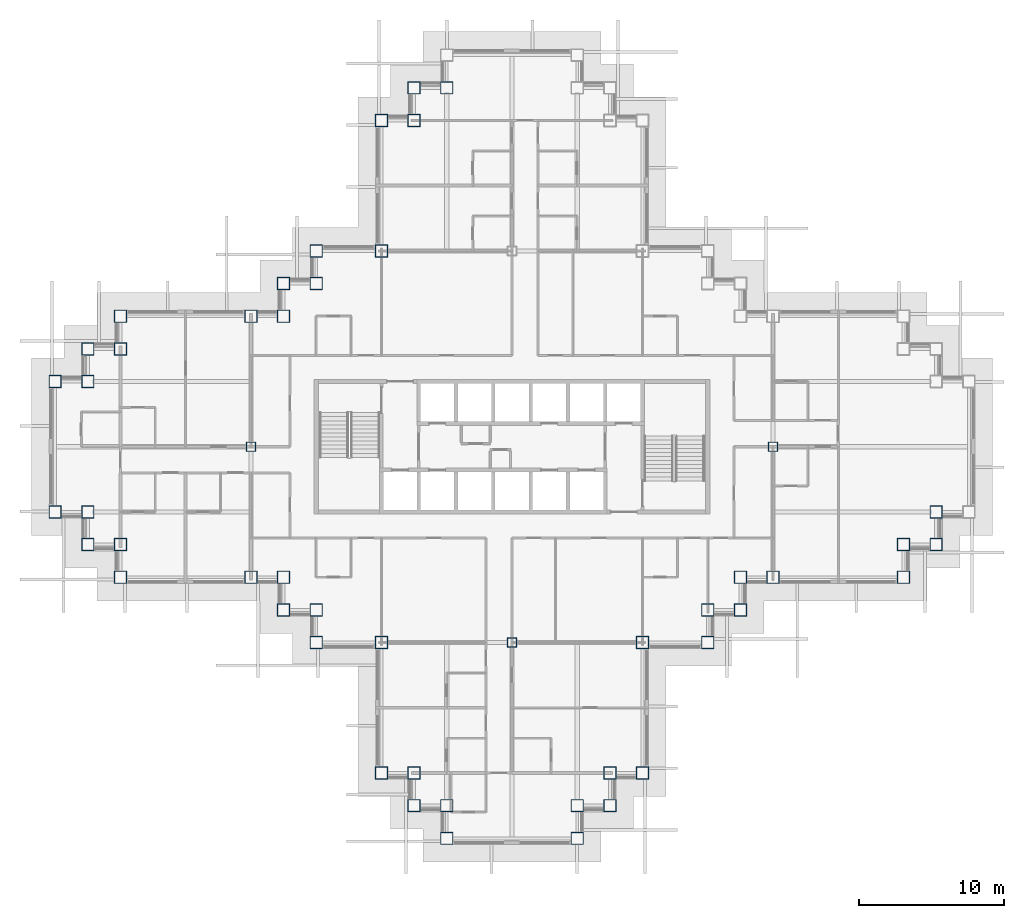
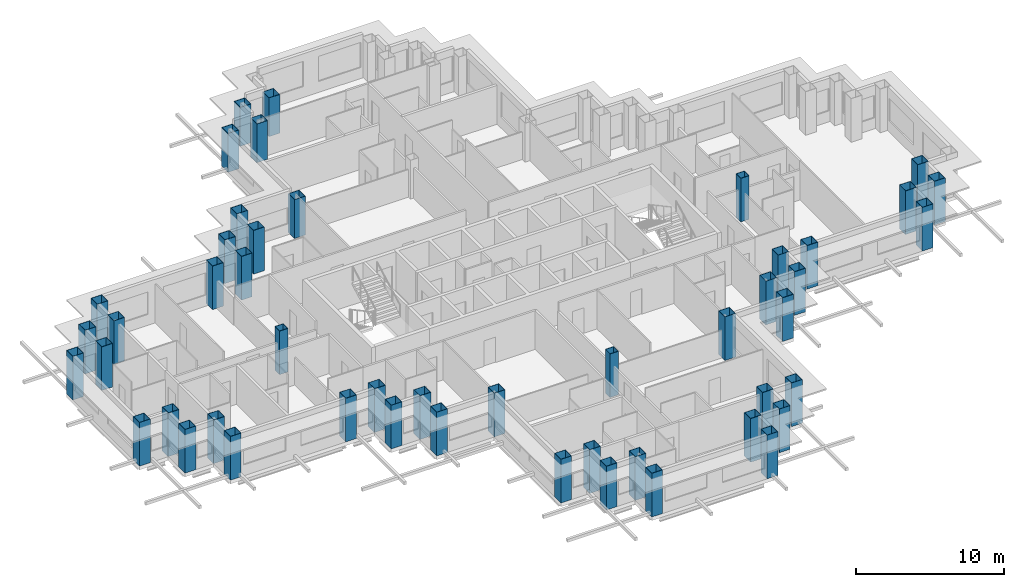
# One storey, part 1 of 17: 49 columns.
"""IFC4 building model written with IfcOpenShell, lengths in metres."""

from ifc_helpers import new_model, si_unit, direction, frame, origin, origin_2d, place, context, subcontext, project, spatial, hollow_rectangle, extrude, material, material_profile, profile_set, type_object, element, save


model = new_model("IFC4")

# Units and contexts
model_context = context("Model", 3, precision=1e-05, world=origin(), true_north=direction((0.0, 1.0)))
body_context = subcontext(model_context, "Body", "Model", "MODEL_VIEW")
ifc_project = project(units=[si_unit("LENGTHUNIT", "METRE"), si_unit("AREAUNIT", "SQUARE_METRE"), si_unit("VOLUMEUNIT", "CUBIC_METRE"), si_unit("PLANEANGLEUNIT", "RADIAN"), si_unit("MASSUNIT", "GRAM", prefix="KILO")], contexts=[model_context])

# Site, building, storey
site_placement = place(None, origin())
site = spatial("IfcSite", under=ifc_project, at=site_placement, CompositionType="ELEMENT")
building_placement = place(site_placement, origin())
building = spatial("IfcBuilding", under=site, at=building_placement, Name="Caravel Reach Hotel and Residences", CompositionType="ELEMENT")
storey_placement = place(building_placement, frame((0.0, 0.0, 136.800048828125)))
storey = spatial("IfcBuildingStorey", under=building, at=storey_placement, Name="L34", CompositionType="ELEMENT", Elevation=136.800048828125)

# Columns
ifc_material_1 = material(Name="Concrete-filled steel tube Q390B with Concrete C70 infill", Category="concrete")
ifc_material_profile_1 = material_profile(ifc_material_1, hollow_rectangle(XDim=0.64990234375, YDim=0.64990234375, WallThickness=0.02099609375, at=origin_2d()), Name="RHS 650x650x21")
ifc_profile_set_1 = profile_set([ifc_material_profile_1], Name="Concrete-filled steel tube Q390B with Concrete C70 infill")
column_type_1 = type_object("IfcColumnType", Name="CFT 650x650 Q390B C70", PredefinedType="COLUMN", material=ifc_profile_set_1)
for number, where, z_axis, x_axis, name in (
    (1, (31.5, 13.5, 0.0), (0.0, 0.0, 1.0), (1.0, 0.0, 0.0), "C17 column"),
    (2, (13.5, 27.0, 0.0), (0.0, 0.0, 1.0), (1.0, 0.0, 0.0), "C17 column"),
    (3, (49.5, 27.0, 0.0), (0.0, 0.0, 1.0), (1.0, 0.0, 0.0), "C17 column"),
):
    element("IfcColumn", number, at=place(storey_placement, frame(where, z_axis=z_axis, x_axis=x_axis)), inside=storey, type_object=column_type_1, Name=name, PredefinedType="COLUMN", context=body_context, shape_type="SweptSolid", body=[
        extrude(hollow_rectangle(XDim=0.64990234375, YDim=0.64990234375, WallThickness=0.02099609375, at=origin_2d()), origin(), (0.0, 0.0, 1.0), 3.599853515625),
    ])
ifc_material_2 = material(Name="Concrete-filled steel tube Q390B with Concrete C70 infill", Category="concrete")
ifc_material_profile_2 = material_profile(ifc_material_2, hollow_rectangle(XDim=0.85009765625, YDim=0.85009765625, WallThickness=0.02587890625, at=origin_2d()), Name="RHS 850x850x26")
ifc_profile_set_2 = profile_set([ifc_material_profile_2], Name="Concrete-filled steel tube Q390B with Concrete C70 infill")
column_type_2 = type_object("IfcColumnType", Name="CFT 850x850 Q390B C70", PredefinedType="COLUMN", material=ifc_profile_set_2)
for number, where, z_axis, x_axis, name in (
    (4, (22.5, 4.5, 0.0), (0.0, 0.0, 1.0), (1.0, 0.0, 0.0), "C13 column"),
    (5, (24.75, 4.5, 0.0), (0.0, 0.0, 1.0), (1.0, 0.0, 0.0), "C13 column"),
    (6, (24.75, 2.25, 0.0), (0.0, 0.0, 1.0), (1.0, 0.0, 0.0), "C13 column"),
    (7, (27.0, 2.25, 0.0), (0.0, 0.0, 1.0), (1.0, 0.0, 0.0), "C13 column"),
    (8, (27.0, 0.0, 0.0), (0.0, 0.0, 1.0), (1.0, 0.0, 0.0), "C13 column"),
    (9, (36.0, 0.0, 0.0), (0.0, 0.0, 1.0), (1.0, 0.0, 0.0), "C13 column"),
    (10, (36.0, 2.25, 0.0), (0.0, 0.0, 1.0), (1.0, 0.0, 0.0), "C13 column"),
    (11, (38.25, 2.25, 0.0), (0.0, 0.0, 1.0), (1.0, 0.0, 0.0), "C13 column"),
    (12, (38.25, 4.5, 0.0), (0.0, 0.0, 1.0), (1.0, 0.0, 0.0), "C13 column"),
    (13, (40.5, 4.5, 0.0), (0.0, 0.0, 1.0), (1.0, 0.0, 0.0), "C13 column"),
    (14, (40.5, 13.5, 0.0), (0.0, 0.0, 1.0), (1.0, 0.0, 0.0), "C13 column"),
    (15, (45.0, 13.5, 0.0), (0.0, 0.0, 1.0), (1.0, 0.0, 0.0), "C13 column"),
    (16, (45.0, 15.75, 0.0), (0.0, 0.0, 1.0), (1.0, 0.0, 0.0), "C13 column"),
    (17, (47.25, 15.75, 0.0), (0.0, 0.0, 1.0), (1.0, 0.0, 0.0), "C13 column"),
    (18, (47.25, 18.0, 0.0), (0.0, 0.0, 1.0), (1.0, 0.0, 0.0), "C13 column"),
    (19, (49.5, 18.0, 0.0), (0.0, 0.0, 1.0), (1.0, 0.0, 0.0), "C13 column"),
    (20, (58.5, 18.0, 0.0), (0.0, 0.0, 1.0), (1.0, 0.0, 0.0), "C13 column"),
    (21, (58.5, 20.25, 0.0), (0.0, 0.0, 1.0), (1.0, 0.0, 0.0), "C13 column"),
    (22, (60.75, 20.25, 0.0), (0.0, 0.0, 1.0), (1.0, 0.0, 0.0), "C13 column"),
    (23, (60.75, 22.5, 0.0), (0.0, 0.0, 1.0), (1.0, 0.0, 0.0), "C13 column"),
):
    element("IfcColumn", number, at=place(storey_placement, frame(where, z_axis=z_axis, x_axis=x_axis)), inside=storey, type_object=column_type_2, Name=name, PredefinedType="COLUMN", context=body_context, shape_type="SweptSolid", body=[
        extrude(hollow_rectangle(XDim=0.85009765625, YDim=0.85009765625, WallThickness=0.02587890625, at=origin_2d()), origin(), (0.0, 0.0, 1.0), 3.599853515625),
    ])
for number, where, z_axis, x_axis, name in (
    (24, (27.0, 51.75, 0.0), (0.0, 0.0, 1.0), (1.0, 0.0, 0.0), "C13 column"),
    (25, (24.75, 51.75, 0.0), (0.0, 0.0, 1.0), (1.0, 0.0, 0.0), "C13 column"),
    (26, (24.75, 49.5, 0.0), (0.0, 0.0, 1.0), (1.0, 0.0, 0.0), "C13 column"),
    (27, (22.5, 49.5, 0.0), (0.0, 0.0, 1.0), (1.0, 0.0, 0.0), "C13 column"),
    (28, (22.5, 40.5, 0.0), (0.0, 0.0, 1.0), (1.0, 0.0, 0.0), "C13 column"),
):
    element("IfcColumn", number, at=place(storey_placement, frame(where, z_axis=z_axis, x_axis=x_axis)), inside=storey, type_object=column_type_2, Name=name, PredefinedType="COLUMN", context=body_context, shape_type="SweptSolid", body=[
        extrude(hollow_rectangle(XDim=0.85009765625, YDim=0.85009765625, WallThickness=0.02587890625, at=origin_2d()), origin(), (0.0, 0.0, 1.0), 3.199951171875),
    ])
for number, where, z_axis, x_axis, name in (
    (29, (18.0, 40.5, 0.0), (0.0, 0.0, 1.0), (1.0, 0.0, 0.0), "C13 column"),
    (30, (18.0, 38.25, 0.0), (0.0, 0.0, 1.0), (1.0, 0.0, 0.0), "C13 column"),
    (31, (15.75, 38.25, 0.0), (0.0, 0.0, 1.0), (1.0, 0.0, 0.0), "C13 column"),
    (32, (15.75, 36.0, 0.0), (0.0, 0.0, 1.0), (1.0, 0.0, 0.0), "C13 column"),
    (33, (13.5, 36.0, 0.0), (0.0, 0.0, 1.0), (1.0, 0.0, 0.0), "C13 column"),
    (34, (4.5, 36.0, 0.0), (0.0, 0.0, 1.0), (1.0, 0.0, 0.0), "C13 column"),
    (35, (4.5, 33.75, 0.0), (0.0, 0.0, 1.0), (1.0, 0.0, 0.0), "C13 column"),
    (36, (2.25, 33.75, 0.0), (0.0, 0.0, 1.0), (1.0, 0.0, 0.0), "C13 column"),
    (37, (2.25, 31.5, 0.0), (0.0, 0.0, 1.0), (1.0, 0.0, 0.0), "C13 column"),
    (38, (0.0, 31.5, 0.0), (0.0, 0.0, 1.0), (1.0, 0.0, 0.0), "C13 column"),
    (39, (0.0, 22.5, 0.0), (0.0, 0.0, 1.0), (1.0, 0.0, 0.0), "C13 column"),
    (40, (2.25, 22.5, 0.0), (0.0, 0.0, 1.0), (1.0, 0.0, 0.0), "C13 column"),
    (41, (2.25, 20.25, 0.0), (0.0, 0.0, 1.0), (1.0, 0.0, 0.0), "C13 column"),
    (42, (4.5, 20.25, 0.0), (0.0, 0.0, 1.0), (1.0, 0.0, 0.0), "C13 column"),
    (43, (4.5, 18.0, 0.0), (0.0, 0.0, 1.0), (1.0, 0.0, 0.0), "C13 column"),
    (44, (13.5, 18.0, 0.0), (0.0, 0.0, 1.0), (1.0, 0.0, 0.0), "C13 column"),
    (45, (15.75, 18.0, 0.0), (0.0, 0.0, 1.0), (1.0, 0.0, 0.0), "C13 column"),
    (46, (15.75, 15.75, 0.0), (0.0, 0.0, 1.0), (1.0, 0.0, 0.0), "C13 column"),
    (47, (18.0, 15.75, 0.0), (0.0, 0.0, 1.0), (1.0, 0.0, 0.0), "C13 column"),
    (48, (18.0, 13.5, 0.0), (0.0, 0.0, 1.0), (1.0, 0.0, 0.0), "C13 column"),
    (49, (22.5, 13.5, 0.0), (0.0, 0.0, 1.0), (1.0, 0.0, 0.0), "C13 column"),
):
    element("IfcColumn", number, at=place(storey_placement, frame(where, z_axis=z_axis, x_axis=x_axis)), inside=storey, type_object=column_type_2, Name=name, PredefinedType="COLUMN", context=body_context, shape_type="SweptSolid", body=[
        extrude(hollow_rectangle(XDim=0.85009765625, YDim=0.85009765625, WallThickness=0.02587890625, at=origin_2d()), origin(), (0.0, 0.0, 1.0), 3.599853515625),
    ])

save(model, "model.ifc")
